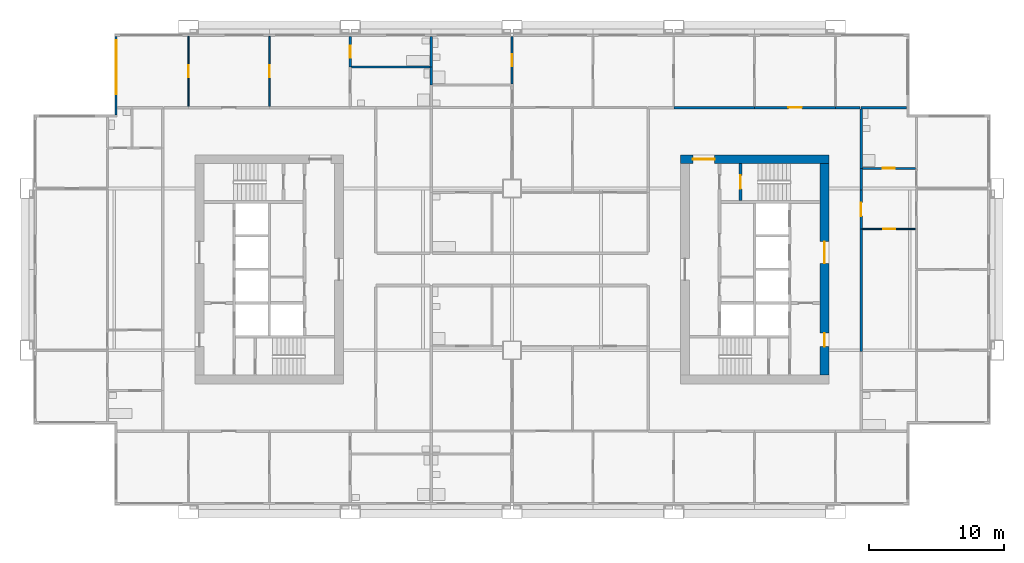
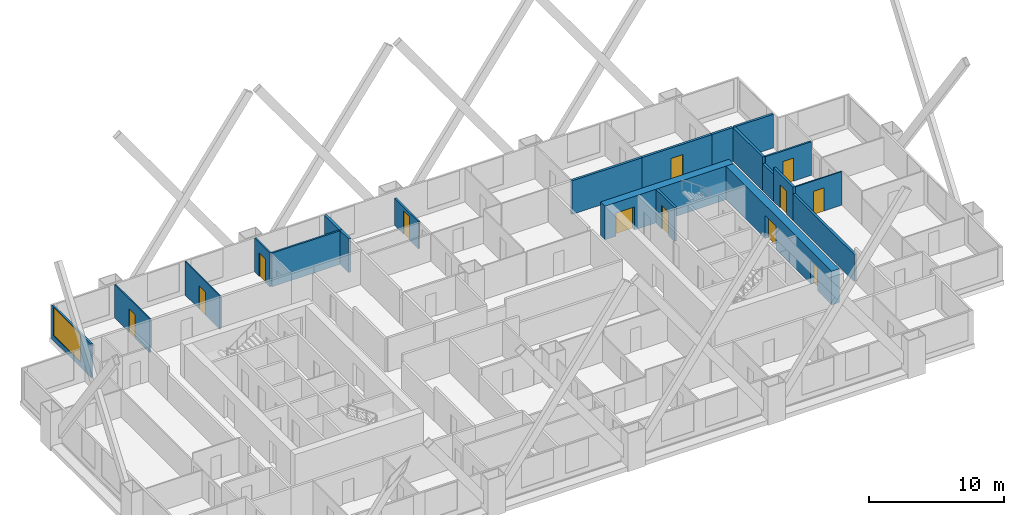
# One storey, part 7 of 11: 21 walls, 12 doors, 1 window, 13 openings.
"""IFC4 building model written with IfcOpenShell, lengths in metres."""

from ifc_helpers import new_model, si_unit, direction, frame, frame_2d, origin, place, context, subcontext, project, spatial, rectangle, extrude, material, layer, layer_set, type_object, element, fill, save


model = new_model("IFC4")

# Units and contexts
model_context = context("Model", 3, precision=1e-05, world=origin(), true_north=direction((0.0, 1.0)))
body_context = subcontext(model_context, "Body", "Model", "MODEL_VIEW")
ifc_project = project(units=[si_unit("LENGTHUNIT", "METRE"), si_unit("AREAUNIT", "SQUARE_METRE"), si_unit("VOLUMEUNIT", "CUBIC_METRE"), si_unit("PLANEANGLEUNIT", "RADIAN"), si_unit("MASSUNIT", "GRAM", prefix="KILO")], contexts=[model_context])

# Site, building, storey
site_placement = place(None, origin())
site = spatial("IfcSite", under=ifc_project, at=site_placement, CompositionType="ELEMENT")
building_placement = place(site_placement, origin())
building = spatial("IfcBuilding", under=site, at=building_placement, Name="Kitamizu Gate Tower and Museum", CompositionType="ELEMENT")
storey_placement = place(building_placement, frame((0.0, 0.0, 113.85009765625)))
storey = spatial("IfcBuildingStorey", under=building, at=storey_placement, Name="L29", CompositionType="ELEMENT", Elevation=113.85009765625)

# Wall, opening, door
ifc_material_1 = material(Name="Concrete Fc60", Category="concrete")
ifc_layer_1 = layer(ifc_material_1, 0.64990234375)
ifc_layer_set_1 = layer_set([ifc_layer_1], Name="Concrete Fc60")
wall_type_1 = type_object("IfcWallType", Name="Core wall 650", PredefinedType="SHEAR", material=ifc_layer_set_1)
wall_1_placement = place(storey_placement, frame((59.5, 38.175048828125, 0.0), z_axis=(0.0, 0.0, 1.0), x_axis=(-1.0, 0.0, 0.0)))
wall_1 = element("IfcWall", 1, at=wall_1_placement, inside=storey, type_object=wall_type_1, Name="Core wall EN", PredefinedType="SHEAR", context=body_context, shape_type="SweptSolid", body=[
    extrude(rectangle(XDim=11.0, YDim=0.64990234375, at=frame_2d((5.5, 0.0))), origin(), (0.0, 0.0, 1.0), 3.0498046875),
])
opening_1_placement = place(wall_1_placement, frame((8.47509765625, 0.0, 0.0)))
opening_1 = element("IfcOpeningElement", 2, at=opening_1_placement, cuts=wall_1, Name="Opening L29-071", PredefinedType="OPENING", context=body_context, shape_type="SweptSolid", body=[
    extrude(rectangle(XDim=1.60009765625, YDim=2.10009765625, at=frame_2d((0.800048828125, 1.050048828125))), frame((0.0, 0.3349609375, 0.0), z_axis=(0.0, -1.0, 0.0), x_axis=(1.0, 0.0, 0.0)), (0.0, 0.0, 1.0), 0.669921875),
])
ifc_material_2 = material(Name="Timber door set", Category="wood")
door_type_1 = type_object("IfcDoorType", Name="Entrance door 1600", OperationType="DOUBLE_DOOR_SINGLE_SWING", PredefinedType="DOOR", material=ifc_material_2)
door_1_placement = place(opening_1_placement, origin())
door_1 = element("IfcDoor", 3, at=door_1_placement, inside=storey, type_object=door_type_1, Name="Lobby door L29-071", OperationType="DOUBLE_DOOR_SINGLE_SWING", OverallHeight=2.10009765625, OverallWidth=1.60009765625, PredefinedType="DOOR", context=body_context, shape_type="SweptSolid", body=[
    extrude(rectangle(XDim=1.60009765625, YDim=2.10009765625, at=frame_2d((0.800048828125, 1.050048828125))), frame((0.0, 0.02490234375, 0.0), z_axis=(0.0, -1.0, 0.0), x_axis=(1.0, 0.0, 0.0)), (0.0, 0.0, 1.0), 0.050048828125),
])
fill(opening_1, door_1)

# Wall, openings, doors
wall_2_placement = place(storey_placement, frame((59.175048828125, 22.14990234375, 0.0), z_axis=(0.0, 0.0, 1.0), x_axis=(0.0, 1.0, 0.0)))
wall_2 = element("IfcWall", 4, at=wall_2_placement, inside=storey, type_object=wall_type_1, Name="Core wall EOUT", PredefinedType="SHEAR", context=body_context, shape_type="SweptSolid", body=[
    extrude(rectangle(XDim=15.7001953125, YDim=0.64990234375, at=frame_2d((7.85009765625, 0.0))), origin(), (0.0, 0.0, 1.0), 3.0498046875),
])
opening_2_placement = place(wall_2_placement, frame((8.300048828125, 0.0, 0.0)))
opening_2 = element("IfcOpeningElement", 5, at=opening_2_placement, cuts=wall_2, Name="Opening L29-069", PredefinedType="OPENING", context=body_context, shape_type="SweptSolid", body=[
    extrude(rectangle(XDim=1.60009765625, YDim=2.10009765625, at=frame_2d((0.800048828125, 1.050048828125))), frame((0.0, 0.3349609375, 0.0), z_axis=(0.0, -1.0, 0.0), x_axis=(1.0, 0.0, 0.0)), (0.0, 0.0, 1.0), 0.669921875),
])
opening_3_placement = place(wall_2_placement, frame((2.125, 0.0, 0.0)))
opening_3 = element("IfcOpeningElement", 6, at=opening_3_placement, cuts=wall_2, Name="Opening L29-070", PredefinedType="OPENING", context=body_context, shape_type="SweptSolid", body=[
    extrude(rectangle(XDim=1.0, YDim=2.10009765625, at=frame_2d((0.5, 1.050048828125))), frame((0.0, 0.3349609375, 0.0), z_axis=(0.0, -1.0, 0.0), x_axis=(1.0, 0.0, 0.0)), (0.0, 0.0, 1.0), 0.669921875),
])
door_2_placement = place(opening_2_placement, origin())
door_2 = element("IfcDoor", 7, at=door_2_placement, inside=storey, type_object=door_type_1, Name="Lobby door L29-069", OperationType="DOUBLE_DOOR_SINGLE_SWING", OverallHeight=2.10009765625, OverallWidth=1.60009765625, PredefinedType="DOOR", context=body_context, shape_type="SweptSolid", body=[
    extrude(rectangle(XDim=1.60009765625, YDim=2.10009765625, at=frame_2d((0.800048828125, 1.050048828125))), frame((0.0, 0.02490234375, 0.0), z_axis=(0.0, -1.0, 0.0), x_axis=(1.0, 0.0, 0.0)), (0.0, 0.0, 1.0), 0.050048828125),
])
fill(opening_2, door_2)
ifc_material_3 = material(Name="Hollow metal door set")
door_type_2 = type_object("IfcDoorType", Name="Fire door 1000", OperationType="NOTDEFINED", PredefinedType="DOOR", material=ifc_material_3)
door_3_placement = place(opening_3_placement, origin())
door_3 = element("IfcDoor", 8, at=door_3_placement, inside=storey, type_object=door_type_2, Name="Fire-fighting lobby door L29-070", OperationType="SINGLE_SWING_LEFT", OverallHeight=2.10009765625, OverallWidth=1.0, PredefinedType="DOOR", context=body_context, shape_type="SweptSolid", body=[
    extrude(rectangle(XDim=1.0, YDim=2.10009765625, at=frame_2d((0.5, 1.050048828125))), frame((0.0, 0.02490234375, 0.0), z_axis=(0.0, -1.0, 0.0), x_axis=(1.0, 0.0, 0.0)), (0.0, 0.0, 1.0), 0.050048828125),
])
fill(opening_3, door_3)

# Wall, opening, door
ifc_material_4 = material(Name="Gypsum board on galvanised stud")
ifc_layer_2 = layer(ifc_material_4, 0.10009765625)
ifc_layer_set_2 = layer_set([ifc_layer_2], Name="Gypsum board on galvanised stud")
wall_type_2 = type_object("IfcWallType", Name="Partition 100 NOT RATED", PredefinedType="PARTITIONING", material=ifc_layer_set_2)
wall_3_placement = place(storey_placement, frame((65.949951171875, 33.0, 0.0), z_axis=(0.0, 0.0, 1.0), x_axis=(-1.0, 0.0, 0.0)))
wall_3 = element("IfcWall", 9, at=wall_3_placement, inside=storey, type_object=wall_type_2, Name="Partition L29-080", PredefinedType="PARTITIONING", context=body_context, shape_type="SweptSolid", body=[
    extrude(rectangle(XDim=3.949951171875, YDim=0.10009765625, at=frame_2d((1.97509765625, 0.0))), origin(), (0.0, 0.0, 1.0), 3.0498046875),
])
opening_4_placement = place(wall_3_placement, frame((1.52490234375, 0.0, 0.0)))
opening_4 = element("IfcOpeningElement", 10, at=opening_4_placement, cuts=wall_3, Name="Opening L29-029", PredefinedType="OPENING", context=body_context, shape_type="SweptSolid", body=[
    extrude(rectangle(XDim=0.89990234375, YDim=2.10009765625, at=frame_2d((0.449951171875, 1.050048828125))), frame((0.0, 0.06005859375, 0.0), z_axis=(0.0, -1.0, 0.0), x_axis=(1.0, 0.0, 0.0)), (0.0, 0.0, 1.0), 0.1201171875),
])
ifc_material_5 = material(Name="Timber door set", Category="wood")
door_type_3 = type_object("IfcDoorType", Name="Room door 900", OperationType="NOTDEFINED", PredefinedType="DOOR", material=ifc_material_5)
door_4_placement = place(opening_4_placement, frame((0.89990234375, 0.0, 0.0), x_axis=(-1.0, 0.0, 0.0)))
door_4 = element("IfcDoor", 11, at=door_4_placement, inside=storey, type_object=door_type_3, Name="Door L29-029", OperationType="SINGLE_SWING_LEFT", OverallHeight=2.10009765625, OverallWidth=0.89990234375, PredefinedType="DOOR", context=body_context, shape_type="SweptSolid", body=[
    extrude(rectangle(XDim=0.89990234375, YDim=2.10009765625, at=frame_2d((0.449951171875, 1.050048828125))), frame((0.0, 0.02490234375, 0.0), z_axis=(0.0, -1.0, 0.0), x_axis=(1.0, 0.0, 0.0)), (0.0, 0.0, 1.0), 0.050048828125),
])
fill(opening_4, door_4)

wall_4_placement = place(storey_placement, frame((12.0, 42.10009765625, 0.0), z_axis=(0.0, 0.0, 1.0), x_axis=(0.0, 1.0, 0.0)))
wall_4 = element("IfcWall", 12, at=wall_4_placement, inside=storey, type_object=wall_type_2, Name="Partition L29-088", PredefinedType="PARTITIONING", context=body_context, shape_type="SweptSolid", body=[
    extrude(rectangle(XDim=5.179931640625, YDim=0.10009765625, at=frame_2d((2.58984375, 0.0))), origin(), (0.0, 0.0, 1.0), 3.0498046875),
])
opening_5_placement = place(wall_4_placement, frame((2.139892578125, 0.0, 0.0)))
opening_5 = element("IfcOpeningElement", 13, at=opening_5_placement, cuts=wall_4, Name="Opening L29-035", PredefinedType="OPENING", context=body_context, shape_type="SweptSolid", body=[
    extrude(rectangle(XDim=0.89990234375, YDim=2.10009765625, at=frame_2d((0.449951171875, 1.050048828125))), frame((0.0, 0.06005859375, 0.0), z_axis=(0.0, -1.0, 0.0), x_axis=(1.0, 0.0, 0.0)), (0.0, 0.0, 1.0), 0.1201171875),
])
door_5_placement = place(opening_5_placement, origin())
door_5 = element("IfcDoor", 14, at=door_5_placement, inside=storey, type_object=door_type_3, Name="Door L29-035", OperationType="SINGLE_SWING_RIGHT", OverallHeight=2.10009765625, OverallWidth=0.89990234375, PredefinedType="DOOR", context=body_context, shape_type="SweptSolid", body=[
    extrude(rectangle(XDim=0.89990234375, YDim=2.10009765625, at=frame_2d((0.449951171875, 1.050048828125))), frame((0.0, 0.02490234375, 0.0), z_axis=(0.0, -1.0, 0.0), x_axis=(1.0, 0.0, 0.0)), (0.0, 0.0, 1.0), 0.050048828125),
])
fill(opening_5, door_5)

wall_5_placement = place(storey_placement, frame((18.0, 42.10009765625, 0.0), z_axis=(0.0, 0.0, 1.0), x_axis=(0.0, 1.0, 0.0)))
wall_5 = element("IfcWall", 15, at=wall_5_placement, inside=storey, type_object=wall_type_2, Name="Partition L29-090", PredefinedType="PARTITIONING", context=body_context, shape_type="SweptSolid", body=[
    extrude(rectangle(XDim=5.179931640625, YDim=0.10009765625, at=frame_2d((2.58984375, 0.0))), origin(), (0.0, 0.0, 1.0), 3.0498046875),
])
opening_6_placement = place(wall_5_placement, frame((2.139892578125, 0.0, 0.0)))
opening_6 = element("IfcOpeningElement", 16, at=opening_6_placement, cuts=wall_5, Name="Opening L29-036", PredefinedType="OPENING", context=body_context, shape_type="SweptSolid", body=[
    extrude(rectangle(XDim=0.89990234375, YDim=2.10009765625, at=frame_2d((0.449951171875, 1.050048828125))), frame((0.0, 0.06005859375, 0.0), z_axis=(0.0, -1.0, 0.0), x_axis=(1.0, 0.0, 0.0)), (0.0, 0.0, 1.0), 0.1201171875),
])
door_6_placement = place(opening_6_placement, frame((0.89990234375, 0.0, 0.0), x_axis=(-1.0, 0.0, 0.0)))
door_6 = element("IfcDoor", 17, at=door_6_placement, inside=storey, type_object=door_type_3, Name="Door L29-036", OperationType="SINGLE_SWING_RIGHT", OverallHeight=2.10009765625, OverallWidth=0.89990234375, PredefinedType="DOOR", context=body_context, shape_type="SweptSolid", body=[
    extrude(rectangle(XDim=0.89990234375, YDim=2.10009765625, at=frame_2d((0.449951171875, 1.050048828125))), frame((0.0, 0.02490234375, 0.0), z_axis=(0.0, -1.0, 0.0), x_axis=(1.0, 0.0, 0.0)), (0.0, 0.0, 1.0), 0.050048828125),
])
fill(opening_6, door_6)

ifc_material_6 = material(Name="Gypsum board on galvanised stud")
ifc_layer_3 = layer(ifc_material_6, 0.14990234375)
ifc_layer_set_3 = layer_set([ifc_layer_3], Name="Gypsum board on galvanised stud")
wall_type_3 = type_object("IfcWallType", Name="Partition 150", PredefinedType="PARTITIONING", material=ifc_layer_set_3)
wall_6_placement = place(storey_placement, frame((65.925048828125, 37.5, 0.0), z_axis=(0.0, 0.0, 1.0), x_axis=(-1.0, 0.0, 0.0)))
wall_6 = element("IfcWall", 18, at=wall_6_placement, inside=storey, type_object=wall_type_3, Name="Partition L29-083", PredefinedType="PARTITIONING", context=body_context, shape_type="SweptSolid", body=[
    extrude(rectangle(XDim=3.925048828125, YDim=0.14990234375, at=frame_2d((1.96240234375, 0.0))), origin(), (0.0, 0.0, 1.0), 3.0498046875),
])
opening_7_placement = place(wall_6_placement, frame((1.512451171875, 0.0, 0.0)))
opening_7 = element("IfcOpeningElement", 19, at=opening_7_placement, cuts=wall_6, Name="Opening L29-031", PredefinedType="OPENING", context=body_context, shape_type="SweptSolid", body=[
    extrude(rectangle(XDim=0.89990234375, YDim=2.10009765625, at=frame_2d((0.449951171875, 1.050048828125))), frame((0.0, 0.0849609375, 0.0), z_axis=(0.0, -1.0, 0.0), x_axis=(1.0, 0.0, 0.0)), (0.0, 0.0, 1.0), 0.169921875),
])
ifc_material_7 = material(Name="Timber door set", Category="wood")
door_type_4 = type_object("IfcDoorType", Name="Bathroom door 900", OperationType="NOTDEFINED", PredefinedType="DOOR", material=ifc_material_7)
door_7_placement = place(opening_7_placement, frame((0.89990234375, 0.0, 0.0), x_axis=(-1.0, 0.0, 0.0)))
door_7 = element("IfcDoor", 20, at=door_7_placement, inside=storey, type_object=door_type_4, Name="Bathroom door L29-031", OperationType="SINGLE_SWING_LEFT", OverallHeight=2.10009765625, OverallWidth=0.89990234375, PredefinedType="DOOR", context=body_context, shape_type="SweptSolid", body=[
    extrude(rectangle(XDim=0.89990234375, YDim=2.10009765625, at=frame_2d((0.449951171875, 1.050048828125))), frame((0.0, 0.02490234375, 0.0), z_axis=(0.0, -1.0, 0.0), x_axis=(1.0, 0.0, 0.0)), (0.0, 0.0, 1.0), 0.050048828125),
])
fill(opening_7, door_7)

wall_7_placement = place(storey_placement, frame((24.0, 45.0, 0.0), z_axis=(0.0, 0.0, 1.0), x_axis=(0.0, 1.0, 0.0)))
wall_7 = element("IfcWall", 21, at=wall_7_placement, inside=storey, type_object=wall_type_3, Name="Partition L29-093", PredefinedType="PARTITIONING", context=body_context, shape_type="SweptSolid", body=[
    extrude(rectangle(XDim=2.280029296875, YDim=0.14990234375, at=frame_2d((1.14013671875, 0.0))), origin(), (0.0, 0.0, 1.0), 3.0498046875),
])
opening_8_placement = place(wall_7_placement, frame((0.68994140625, 0.0, 0.0)))
opening_8 = element("IfcOpeningElement", 22, at=opening_8_placement, cuts=wall_7, Name="Opening L29-038", PredefinedType="OPENING", context=body_context, shape_type="SweptSolid", body=[
    extrude(rectangle(XDim=0.89990234375, YDim=2.10009765625, at=frame_2d((0.449951171875, 1.050048828125))), frame((0.0, 0.0849609375, 0.0), z_axis=(0.0, -1.0, 0.0), x_axis=(1.0, 0.0, 0.0)), (0.0, 0.0, 1.0), 0.169921875),
])
door_8_placement = place(opening_8_placement, frame((0.89990234375, 0.0, 0.0), x_axis=(-1.0, 0.0, 0.0)))
door_8 = element("IfcDoor", 23, at=door_8_placement, inside=storey, type_object=door_type_4, Name="Bathroom door L29-038", OperationType="SINGLE_SWING_RIGHT", OverallHeight=2.10009765625, OverallWidth=0.89990234375, PredefinedType="DOOR", context=body_context, shape_type="SweptSolid", body=[
    extrude(rectangle(XDim=0.89990234375, YDim=2.10009765625, at=frame_2d((0.449951171875, 1.050048828125))), frame((0.0, 0.02490234375, 0.0), z_axis=(0.0, -1.0, 0.0), x_axis=(1.0, 0.0, 0.0)), (0.0, 0.0, 1.0), 0.050048828125),
])
fill(opening_8, door_8)

# Wall
wall_8_placement = place(storey_placement, frame((29.89990234375, 45.0, 0.0), z_axis=(0.0, 0.0, 1.0), x_axis=(-1.0, 0.0, 0.0)))
element("IfcWall", 24, at=wall_8_placement, inside=storey, type_object=wall_type_3, Name="Partition L29-095", PredefinedType="PARTITIONING", context=body_context, shape_type="SweptSolid", body=[
    extrude(rectangle(XDim=5.824951171875, YDim=0.14990234375, at=frame_2d((2.91259765625, 0.0))), origin(), (0.0, 0.0, 1.0), 3.0498046875),
])

# Wall, opening, door
wall_9_placement = place(storey_placement, frame((36.0, 43.7548828125, 0.0), z_axis=(0.0, 0.0, 1.0), x_axis=(0.0, 1.0, 0.0)))
wall_9 = element("IfcWall", 25, at=wall_9_placement, inside=storey, type_object=wall_type_3, Name="Partition L29-108", PredefinedType="PARTITIONING", context=body_context, shape_type="SweptSolid", body=[
    extrude(rectangle(XDim=3.525146484375, YDim=0.14990234375, at=frame_2d((1.7626953125, 0.0))), origin(), (0.0, 0.0, 1.0), 2.449951171875),
])
opening_9_placement = place(wall_9_placement, frame((1.3125, 0.0, 0.0)))
opening_9 = element("IfcOpeningElement", 26, at=opening_9_placement, cuts=wall_9, Name="Opening L29-047", PredefinedType="OPENING", context=body_context, shape_type="SweptSolid", body=[
    extrude(rectangle(XDim=0.89990234375, YDim=2.10009765625, at=frame_2d((0.449951171875, 1.050048828125))), frame((0.0, 0.0849609375, 0.0), z_axis=(0.0, -1.0, 0.0), x_axis=(1.0, 0.0, 0.0)), (0.0, 0.0, 1.0), 0.169921875),
])
door_9_placement = place(opening_9_placement, origin())
door_9 = element("IfcDoor", 27, at=door_9_placement, inside=storey, type_object=door_type_4, Name="Bathroom door L29-047", OperationType="SINGLE_SWING_RIGHT", OverallHeight=2.10009765625, OverallWidth=0.89990234375, PredefinedType="DOOR", context=body_context, shape_type="SweptSolid", body=[
    extrude(rectangle(XDim=0.89990234375, YDim=2.10009765625, at=frame_2d((0.449951171875, 1.050048828125))), frame((0.0, 0.02490234375, 0.0), z_axis=(0.0, -1.0, 0.0), x_axis=(1.0, 0.0, 0.0)), (0.0, 0.0, 1.0), 0.050048828125),
])
fill(opening_9, door_9)

# Walls
ifc_material_8 = material(Name="Gypsum board on galvanised stud")
ifc_layer_4 = layer(ifc_material_8, 0.199951171875)
ifc_layer_set_4 = layer_set([ifc_layer_4], Name="Gypsum board on galvanised stud")
wall_type_4 = type_object("IfcWallType", Name="Partition 200", PredefinedType="PARTITIONING", material=ifc_layer_set_4)
wall_10_placement = place(storey_placement, frame((61.89990234375, 33.0, 0.0), z_axis=(0.0, 0.0, 1.0), x_axis=(0.0, -1.0, 0.0)))
element("IfcWall", 28, at=wall_10_placement, inside=storey, type_object=wall_type_4, Name="Partition L29-081", PredefinedType="PARTITIONING", context=body_context, shape_type="SweptSolid", body=[
    extrude(rectangle(XDim=9.10009765625, YDim=0.199951171875, at=frame_2d((4.550048828125, 0.0))), origin(), (0.0, 0.0, 1.0), 2.449951171875),
])
wall_11_placement = place(storey_placement, frame((61.89990234375, 37.5, 0.0), z_axis=(0.0, 0.0, 1.0), x_axis=(0.0, -1.0, 0.0)))
element("IfcWall", 29, at=wall_11_placement, inside=storey, type_object=wall_type_4, Name="Partition L29-084", PredefinedType="PARTITIONING", context=body_context, shape_type="SweptSolid", body=[
    extrude(rectangle(XDim=1.60009765625, YDim=0.199951171875, at=frame_2d((0.800048828125, 0.0))), origin(), (0.0, 0.0, 1.0), 2.449951171875),
])

# Wall, opening, door
wall_12_placement = place(storey_placement, frame((61.89990234375, 35.89990234375, 0.0), z_axis=(0.0, 0.0, 1.0), x_axis=(0.0, -1.0, 0.0)))
wall_12 = element("IfcWall", 30, at=wall_12_placement, inside=storey, type_object=wall_type_4, Name="Partition L29-085", PredefinedType="PARTITIONING", context=body_context, shape_type="SweptSolid", body=[
    extrude(rectangle(XDim=2.89990234375, YDim=0.199951171875, at=frame_2d((1.449951171875, 0.0))), origin(), (0.0, 0.0, 1.0), 3.0498046875),
])
opening_10_placement = place(wall_12_placement, frame((0.949951171875, 0.0, 0.0)))
opening_10 = element("IfcOpeningElement", 31, at=opening_10_placement, cuts=wall_12, Name="Opening L29-026", PredefinedType="OPENING", context=body_context, shape_type="SweptSolid", body=[
    extrude(rectangle(XDim=1.0, YDim=2.10009765625, at=frame_2d((0.5, 1.050048828125))), frame((0.0, 0.10986328125, 0.0), z_axis=(0.0, -1.0, 0.0), x_axis=(1.0, 0.0, 0.0)), (0.0, 0.0, 1.0), 0.219970703125),
])
ifc_material_9 = material(Name="Timber door set", Category="wood")
door_type_5 = type_object("IfcDoorType", Name="Flat entrance door 1000", OperationType="NOTDEFINED", PredefinedType="DOOR", material=ifc_material_9)
door_10_placement = place(opening_10_placement, origin())
door_10 = element("IfcDoor", 32, at=door_10_placement, inside=storey, type_object=door_type_5, Name="Flat entrance door L29-026", OperationType="SINGLE_SWING_LEFT", OverallHeight=2.10009765625, OverallWidth=1.0, PredefinedType="DOOR", context=body_context, shape_type="SweptSolid", body=[
    extrude(rectangle(XDim=1.0, YDim=2.10009765625, at=frame_2d((0.5, 1.050048828125))), frame((0.0, 0.02490234375, 0.0), z_axis=(0.0, -1.0, 0.0), x_axis=(1.0, 0.0, 0.0)), (0.0, 0.0, 1.0), 0.050048828125),
])
fill(opening_10, door_10)

# Walls
wall_13_placement = place(storey_placement, frame((65.280029296875, 42.0, 0.0), z_axis=(0.0, 0.0, 1.0), x_axis=(-1.0, 0.0, 0.0)))
element("IfcWall", 33, at=wall_13_placement, inside=storey, type_object=wall_type_4, Name="Partition L29-086", PredefinedType="PARTITIONING", context=body_context, shape_type="SweptSolid", body=[
    extrude(rectangle(XDim=3.380126953125, YDim=0.199951171875, at=frame_2d((1.68994140625, 0.0))), origin(), (0.0, 0.0, 1.0), 3.0498046875),
])
wall_14_placement = place(storey_placement, frame((61.89990234375, 41.89990234375, 0.0), z_axis=(0.0, 0.0, 1.0), x_axis=(0.0, -1.0, 0.0)))
element("IfcWall", 34, at=wall_14_placement, inside=storey, type_object=wall_type_4, Name="Partition L29-087", PredefinedType="PARTITIONING", context=body_context, shape_type="SweptSolid", body=[
    extrude(rectangle(XDim=4.39990234375, YDim=0.199951171875, at=frame_2d((2.199951171875, 0.0))), origin(), (0.0, 0.0, 1.0), 3.0498046875),
])
wall_15_placement = place(storey_placement, frame((30.0, 43.679931640625, 0.0), z_axis=(0.0, 0.0, 1.0), x_axis=(0.0, 1.0, 0.0)))
element("IfcWall", 35, at=wall_15_placement, inside=storey, type_object=wall_type_4, Name="Partition L29-097", PredefinedType="PARTITIONING", context=body_context, shape_type="SweptSolid", body=[
    extrude(rectangle(XDim=1.320068359375, YDim=0.199951171875, at=frame_2d((0.66015625, 0.0))), origin(), (0.0, 0.0, 1.0), 3.0498046875),
])
wall_16_placement = place(storey_placement, frame((30.0, 45.0, 0.0), z_axis=(0.0, 0.0, 1.0), x_axis=(0.0, 1.0, 0.0)))
element("IfcWall", 36, at=wall_16_placement, inside=storey, type_object=wall_type_4, Name="Partition L29-100", PredefinedType="PARTITIONING", context=body_context, shape_type="SweptSolid", body=[
    extrude(rectangle(XDim=2.280029296875, YDim=0.199951171875, at=frame_2d((1.14013671875, 0.0))), origin(), (0.0, 0.0, 1.0), 3.0498046875),
])
wall_17_placement = place(storey_placement, frame((48.0, 42.0, 0.0), z_axis=(0.0, 0.0, 1.0), x_axis=(1.0, 0.0, 0.0)))
element("IfcWall", 37, at=wall_17_placement, inside=storey, type_object=wall_type_4, Name="Partition L29-118", PredefinedType="PARTITIONING", context=body_context, shape_type="SweptSolid", body=[
    extrude(rectangle(XDim=6.0, YDim=0.199951171875, at=frame_2d((3.0, 0.0))), origin(), (0.0, 0.0, 1.0), 3.0498046875),
])

# Wall, opening, door
wall_18_placement = place(storey_placement, frame((54.0, 42.0, 0.0), z_axis=(0.0, 0.0, 1.0), x_axis=(1.0, 0.0, 0.0)))
wall_18 = element("IfcWall", 38, at=wall_18_placement, inside=storey, type_object=wall_type_4, Name="Partition L29-120", PredefinedType="PARTITIONING", context=body_context, shape_type="SweptSolid", body=[
    extrude(rectangle(XDim=6.0, YDim=0.199951171875, at=frame_2d((3.0, 0.0))), origin(), (0.0, 0.0, 1.0), 3.0498046875),
])
opening_11_placement = place(wall_18_placement, frame((2.5, 0.0, 0.0)))
opening_11 = element("IfcOpeningElement", 39, at=opening_11_placement, cuts=wall_18, Name="Opening L29-039", PredefinedType="OPENING", context=body_context, shape_type="SweptSolid", body=[
    extrude(rectangle(XDim=1.0, YDim=2.10009765625, at=frame_2d((0.5, 1.050048828125))), frame((0.0, 0.10986328125, 0.0), z_axis=(0.0, -1.0, 0.0), x_axis=(1.0, 0.0, 0.0)), (0.0, 0.0, 1.0), 0.219970703125),
])
door_11_placement = place(opening_11_placement, origin())
door_11 = element("IfcDoor", 40, at=door_11_placement, inside=storey, type_object=door_type_5, Name="Flat entrance door L29-039", OperationType="SINGLE_SWING_RIGHT", OverallHeight=2.10009765625, OverallWidth=1.0, PredefinedType="DOOR", context=body_context, shape_type="SweptSolid", body=[
    extrude(rectangle(XDim=1.0, YDim=2.10009765625, at=frame_2d((0.5, 1.050048828125))), frame((0.0, 0.02490234375, 0.0), z_axis=(0.0, -1.0, 0.0), x_axis=(1.0, 0.0, 0.0)), (0.0, 0.0, 1.0), 0.050048828125),
])
fill(opening_11, door_11)

# Wall
wall_19_placement = place(storey_placement, frame((60.0, 42.0, 0.0), z_axis=(0.0, 0.0, 1.0), x_axis=(1.0, 0.0, 0.0)))
element("IfcWall", 41, at=wall_19_placement, inside=storey, type_object=wall_type_4, Name="Partition L29-121", PredefinedType="PARTITIONING", context=body_context, shape_type="SweptSolid", body=[
    extrude(rectangle(XDim=1.800048828125, YDim=0.199951171875, at=frame_2d((0.89990234375, 0.0))), origin(), (0.0, 0.0, 1.0), 3.0498046875),
])

# Wall, opening, door
ifc_material_10 = material(Name="Concrete Fc42", Category="concrete")
ifc_layer_5 = layer(ifc_material_10, 0.199951171875)
ifc_layer_set_5 = layer_set([ifc_layer_5], Name="Concrete Fc42")
wall_type_5 = type_object("IfcWallType", Name="Shaft wall 200", PredefinedType="SOLIDWALL", material=ifc_layer_set_5)
wall_20_placement = place(storey_placement, frame((52.949951171875, 35.10009765625, 0.0), z_axis=(0.0, 0.0, 1.0), x_axis=(0.0, 1.0, 0.0)))
wall_20 = element("IfcWall", 42, at=wall_20_placement, inside=storey, type_object=wall_type_5, Name="Shaft wall ENZ", PredefinedType="SOLIDWALL", context=body_context, shape_type="SweptSolid", body=[
    extrude(rectangle(XDim=2.75, YDim=0.199951171875, at=frame_2d((1.375, 0.0))), origin(), (0.0, 0.0, 1.0), 3.0498046875),
])
opening_12_placement = place(wall_20_placement, frame((0.875, 0.0, 0.0)))
opening_12 = element("IfcOpeningElement", 43, at=opening_12_placement, cuts=wall_20, Name="Opening L29-067", PredefinedType="OPENING", context=body_context, shape_type="SweptSolid", body=[
    extrude(rectangle(XDim=1.0, YDim=2.10009765625, at=frame_2d((0.5, 1.050048828125))), frame((0.0, 0.10986328125, 0.0), z_axis=(0.0, -1.0, 0.0), x_axis=(1.0, 0.0, 0.0)), (0.0, 0.0, 1.0), 0.219970703125),
])
door_12_placement = place(opening_12_placement, frame((1.0, 0.0, 0.0), x_axis=(-1.0, 0.0, 0.0)))
door_12 = element("IfcDoor", 44, at=door_12_placement, inside=storey, type_object=door_type_2, Name="Stair door L29-067", OperationType="SINGLE_SWING_RIGHT", OverallHeight=2.10009765625, OverallWidth=1.0, PredefinedType="DOOR", context=body_context, shape_type="SweptSolid", body=[
    extrude(rectangle(XDim=1.0, YDim=2.10009765625, at=frame_2d((0.5, 1.050048828125))), frame((0.0, 0.02490234375, 0.0), z_axis=(0.0, -1.0, 0.0), x_axis=(1.0, 0.0, 0.0)), (0.0, 0.0, 1.0), 0.050048828125),
])
fill(opening_12, door_12)

# Wall, opening, window
ifc_material_11 = material(Name="Bronze anodised aluminium frame with insulated spandrel and tinted glass", Category="aluminium")
ifc_layer_6 = layer(ifc_material_11, 0.14990234375)
ifc_layer_set_6 = layer_set([ifc_layer_6], Name="Bronze anodised aluminium frame with insulated spandrel and tinted glass")
wall_type_6 = type_object("IfcWallType", Name="WINDOW WALL 150 BRONZE FRAME EI 30", PredefinedType="ELEMENTEDWALL", material=ifc_layer_set_6)
wall_21_placement = place(storey_placement, frame((6.635009765625, 41.43994140625, 0.0), z_axis=(0.0, 0.0, 1.0), x_axis=(0.0, 1.0, 0.0)))
wall_21 = element("IfcWall", 45, at=wall_21_placement, inside=storey, type_object=wall_type_6, Name="Window wall west L29", PredefinedType="ELEMENTEDWALL", context=body_context, shape_type="SweptSolid", body=[
    extrude(rectangle(XDim=5.85009765625, YDim=0.14990234375, at=frame_2d((2.925048828125, 0.0))), origin(), (0.0, 0.0, 1.0), 3.0498046875),
])
opening_13_placement = place(wall_21_placement, frame((1.56005859375, 0.0, 0.449951171875)))
opening_13 = element("IfcOpeningElement", 46, at=opening_13_placement, cuts=wall_21, Name="Opening W16", PredefinedType="OPENING", context=body_context, shape_type="SweptSolid", body=[
    extrude(rectangle(XDim=4.0, YDim=2.550048828125, at=frame_2d((2.0, 1.27490234375))), frame((0.0, 0.0849609375, 0.0), z_axis=(0.0, -1.0, 0.0), x_axis=(1.0, 0.0, 0.0)), (0.0, 0.0, 1.0), 0.169921875),
])
ifc_material_12 = material(Name="Bronze anodised aluminium frame, tinted triple glazing", Category="aluminium")
window_type = type_object("IfcWindowType", Name="WINDOW 4000 x 2550 SILL 450", PartitioningType="SINGLE_PANEL", PredefinedType="WINDOW", material=ifc_material_12)
window_placement = place(opening_13_placement, origin())
window = element("IfcWindow", 47, at=window_placement, inside=storey, type_object=window_type, Name="Window W16 L29", OverallHeight=2.550048828125, OverallWidth=4.0, PartitioningType="SINGLE_PANEL", PredefinedType="WINDOW", context=body_context, shape_type="SweptSolid", body=[
    extrude(rectangle(XDim=4.0, YDim=2.550048828125, at=frame_2d((2.0, 1.27490234375))), frame((0.0, 0.030029296875, 0.0), z_axis=(0.0, -1.0, 0.0), x_axis=(1.0, 0.0, 0.0)), (0.0, 0.0, 1.0), 0.06005859375),
])
fill(opening_13, window)

save(model, "model.ifc")
